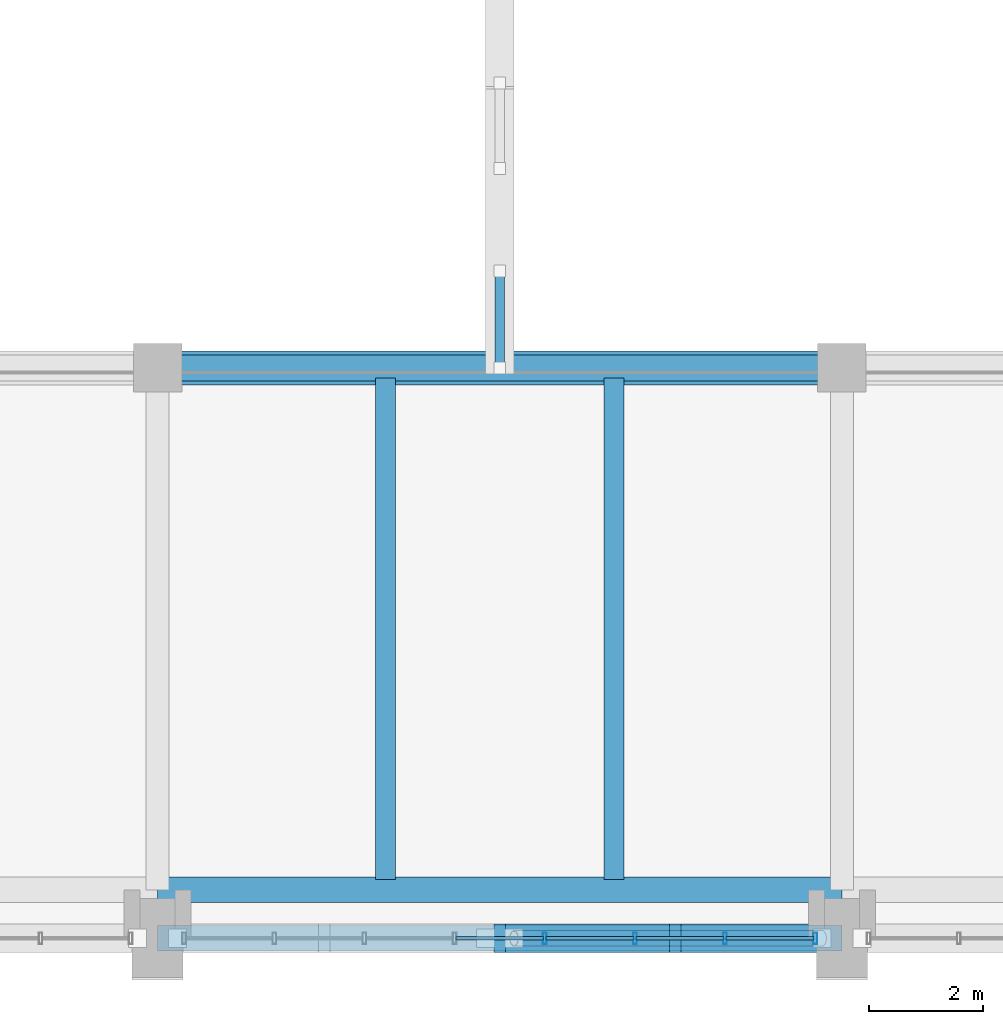
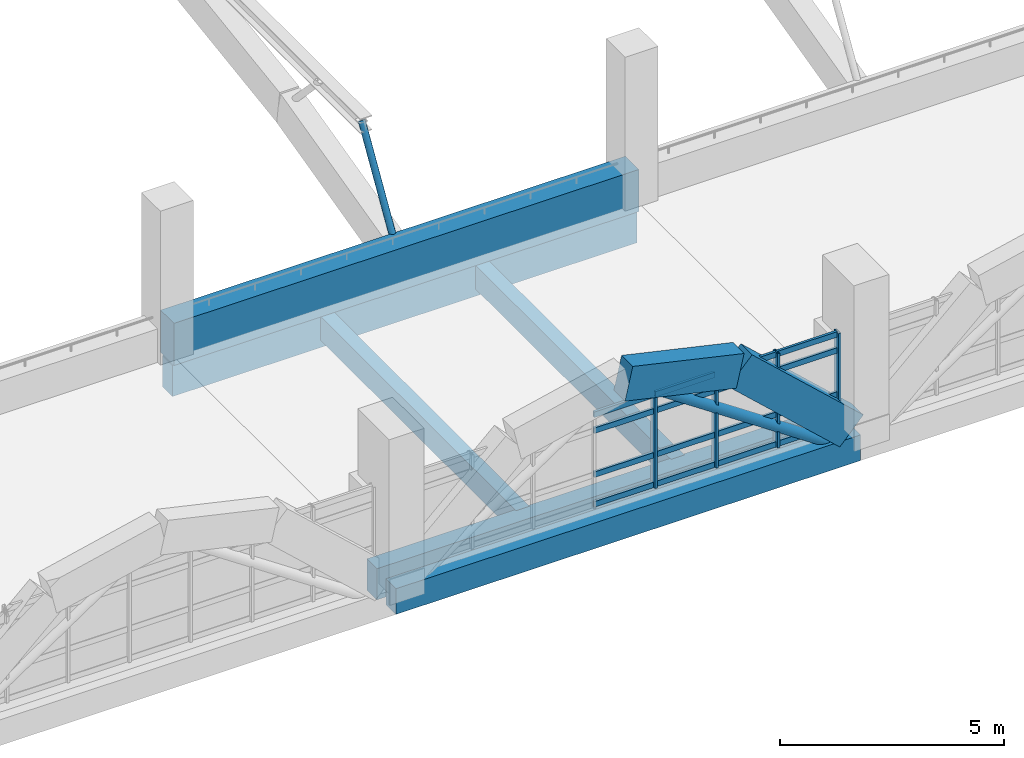
# One storey, part 20 of 161: 22 members, 8 beams, 1 element without a shape of its own.
"""IFC4 building model written with IfcOpenShell, lengths in metres."""

from ifc_helpers import new_model, si_unit, direction, frame, origin, origin_2d, place, context, subcontext, project, spatial, rectangle, hollow_rectangle, hollow_circle, extrude, material, layer, layer_set, material_profile, profile_set, type_object, element, aggregate, save


model = new_model("IFC4")

# Units and contexts
model_context = context("Model", 3, precision=1e-05, world=origin(), true_north=direction((0.0, 1.0)))
body_context = subcontext(model_context, "Body", "Model", "MODEL_VIEW")
ifc_project = project(units=[si_unit("LENGTHUNIT", "METRE"), si_unit("AREAUNIT", "SQUARE_METRE"), si_unit("VOLUMEUNIT", "CUBIC_METRE"), si_unit("PLANEANGLEUNIT", "RADIAN"), si_unit("MASSUNIT", "GRAM", prefix="KILO")], contexts=[model_context])

# Site, building, storey
site_placement = place(None, origin())
site = spatial("IfcSite", under=ifc_project, at=site_placement, CompositionType="ELEMENT")
building_placement = place(site_placement, origin())
building = spatial("IfcBuilding", under=site, at=building_placement, Name="Mersad Railyard Sports Hall", CompositionType="ELEMENT")
storey_placement = place(building_placement, frame((0.0, 0.0, 4.800048828125)))
storey = spatial("IfcBuildingStorey", under=building, at=storey_placement, Name="L01", CompositionType="ELEMENT", Elevation=4.800048828125)

# Curtain wall, members
ifc_material_1 = material(Name="Aluminium 6063-T6", Category="aluminium")
ifc_layer = layer(ifc_material_1, 0.199951171875)
ifc_layer_set = layer_set([ifc_layer], Name="Aluminium 6063-T6")
curtain_wall_type = type_object("IfcCurtainWallType", Name="ARC-CW-CW02", PredefinedType="USERDEFINED", material=ifc_layer_set)
curtain_wall_placement = place(storey_placement, origin())
curtain_wall = element("IfcCurtainWall", 1, at=curtain_wall_placement, inside=storey, type_object=curtain_wall_type, Name="Curtain wall CW02-0011", ObjectType="CURTAIN WALL", PredefinedType="USERDEFINED")
ifc_material_profile_1 = material_profile(ifc_material_1, hollow_rectangle(XDim=0.06494140625, YDim=0.199951171875, WallThickness=0.0048828125, at=origin_2d()), Name="AL MULLION 65x200x5")
ifc_profile_set_1 = profile_set([ifc_material_profile_1], Name="Aluminium 6063-T6")
member_type_1 = type_object("IfcMemberType", Name="ARC-CW-MUL02", PredefinedType="MULLION", material=ifc_profile_set_1)
member_1_placement = place(storey_placement, frame((54.530029296875, 3.5, -0.02001953125), z_axis=(0.0, 0.0, 1.0), x_axis=(1.0, 0.0, 0.0)))
member_1 = element("IfcMember", 2, at=member_1_placement, type_object=member_type_1, Name="CW02 Mullion 1", PredefinedType="MULLION", context=body_context, shape_type="SweptSolid", body=[
    extrude(hollow_rectangle(XDim=0.06494140625, YDim=0.199951171875, WallThickness=0.0048828125, at=origin_2d()), origin(), (0.0, 0.0, 1.0), 2.570068359375),
])
member_2_placement = place(storey_placement, frame((52.949951171875, 3.5, -0.02001953125), z_axis=(0.0, 0.0, 1.0), x_axis=(1.0, 0.0, 0.0)))
member_2 = element("IfcMember", 3, at=member_2_placement, type_object=member_type_1, Name="CW02 Mullion 2", PredefinedType="MULLION", context=body_context, shape_type="SweptSolid", body=[
    extrude(hollow_rectangle(XDim=0.06494140625, YDim=0.199951171875, WallThickness=0.0048828125, at=origin_2d()), origin(), (0.0, 0.0, 1.0), 2.570068359375),
])
member_3_placement = place(storey_placement, frame((51.3701171875, 3.5, -0.02001953125), z_axis=(0.0, 0.0, 1.0), x_axis=(1.0, 0.0, 0.0)))
member_3 = element("IfcMember", 4, at=member_3_placement, type_object=member_type_1, Name="CW02 Mullion 3", PredefinedType="MULLION", context=body_context, shape_type="SweptSolid", body=[
    extrude(hollow_rectangle(XDim=0.06494140625, YDim=0.199951171875, WallThickness=0.0048828125, at=origin_2d()), origin(), (0.0, 0.0, 1.0), 2.570068359375),
])
member_4_placement = place(storey_placement, frame((49.7900390625, 3.5, -0.02001953125), z_axis=(0.0, 0.0, 1.0), x_axis=(1.0, 0.0, 0.0)))
member_4 = element("IfcMember", 5, at=member_4_placement, type_object=member_type_1, Name="CW02 Mullion 4", PredefinedType="MULLION", context=body_context, shape_type="SweptSolid", body=[
    extrude(hollow_rectangle(XDim=0.06494140625, YDim=0.199951171875, WallThickness=0.0048828125, at=origin_2d()), origin(), (0.0, 0.0, 1.0), 2.570068359375),
])
ifc_material_profile_2 = material_profile(ifc_material_1, hollow_rectangle(XDim=0.06494140625, YDim=0.14990234375, WallThickness=0.00439453125, at=origin_2d()), Name="AL TRANSOM 65x150x4.5")
ifc_profile_set_2 = profile_set([ifc_material_profile_2], Name="Aluminium 6063-T6")
member_type_2 = type_object("IfcMemberType", Name="ARC-CW-TRN02", PredefinedType="USERDEFINED", material=ifc_profile_set_2)
member_5_placement = place(storey_placement, frame((54.510009765625, 3.5, 0.0400390625), z_axis=(-1.0, 0.0, 0.0), x_axis=(0.0, -1.0, 0.0)))
member_5 = element("IfcMember", 6, at=member_5_placement, type_object=member_type_2, Name="CW02 Transom 1-1", ObjectType="TRANSOM", PredefinedType="USERDEFINED", context=body_context, shape_type="SweptSolid", body=[
    extrude(hollow_rectangle(XDim=0.06494140625, YDim=0.14990234375, WallThickness=0.00439453125, at=origin_2d()), origin(), (0.0, 0.0, 1.0), 1.5400390625),
])
member_6_placement = place(storey_placement, frame((52.929931640625, 3.5, 0.0400390625), z_axis=(-1.0, 0.0, 0.0), x_axis=(0.0, -1.0, 0.0)))
member_6 = element("IfcMember", 7, at=member_6_placement, type_object=member_type_2, Name="CW02 Transom 1-2", ObjectType="TRANSOM", PredefinedType="USERDEFINED", context=body_context, shape_type="SweptSolid", body=[
    extrude(hollow_rectangle(XDim=0.06494140625, YDim=0.14990234375, WallThickness=0.00439453125, at=origin_2d()), origin(), (0.0, 0.0, 1.0), 1.5400390625),
])
member_7_placement = place(storey_placement, frame((51.35009765625, 3.5, 0.0400390625), z_axis=(-1.0, 0.0, 0.0), x_axis=(0.0, -1.0, 0.0)))
member_7 = element("IfcMember", 8, at=member_7_placement, type_object=member_type_2, Name="CW02 Transom 1-3", ObjectType="TRANSOM", PredefinedType="USERDEFINED", context=body_context, shape_type="SweptSolid", body=[
    extrude(hollow_rectangle(XDim=0.06494140625, YDim=0.14990234375, WallThickness=0.00439453125, at=origin_2d()), origin(), (0.0, 0.0, 1.0), 1.5400390625),
])
member_8_placement = place(storey_placement, frame((49.77001953125, 3.5, 0.0400390625), z_axis=(-1.0, 0.0, 0.0), x_axis=(0.0, -1.0, 0.0)))
member_8 = element("IfcMember", 9, at=member_8_placement, type_object=member_type_2, Name="CW02 Transom 1-4", ObjectType="TRANSOM", PredefinedType="USERDEFINED", context=body_context, shape_type="SweptSolid", body=[
    extrude(hollow_rectangle(XDim=0.06494140625, YDim=0.14990234375, WallThickness=0.00439453125, at=origin_2d()), origin(), (0.0, 0.0, 1.0), 1.5400390625),
])
member_9_placement = place(storey_placement, frame((54.510009765625, 3.5, 0.849853515625), z_axis=(-1.0, 0.0, 0.0), x_axis=(0.0, -1.0, 0.0)))
member_9 = element("IfcMember", 10, at=member_9_placement, type_object=member_type_2, Name="CW02 Transom 2-1", ObjectType="TRANSOM", PredefinedType="USERDEFINED", context=body_context, shape_type="SweptSolid", body=[
    extrude(hollow_rectangle(XDim=0.06494140625, YDim=0.14990234375, WallThickness=0.00439453125, at=origin_2d()), origin(), (0.0, 0.0, 1.0), 1.5400390625),
])
member_10_placement = place(storey_placement, frame((52.929931640625, 3.5, 0.849853515625), z_axis=(-1.0, 0.0, 0.0), x_axis=(0.0, -1.0, 0.0)))
member_10 = element("IfcMember", 11, at=member_10_placement, type_object=member_type_2, Name="CW02 Transom 2-2", ObjectType="TRANSOM", PredefinedType="USERDEFINED", context=body_context, shape_type="SweptSolid", body=[
    extrude(hollow_rectangle(XDim=0.06494140625, YDim=0.14990234375, WallThickness=0.00439453125, at=origin_2d()), origin(), (0.0, 0.0, 1.0), 1.5400390625),
])
member_11_placement = place(storey_placement, frame((51.35009765625, 3.5, 0.849853515625), z_axis=(-1.0, 0.0, 0.0), x_axis=(0.0, -1.0, 0.0)))
member_11 = element("IfcMember", 12, at=member_11_placement, type_object=member_type_2, Name="CW02 Transom 2-3", ObjectType="TRANSOM", PredefinedType="USERDEFINED", context=body_context, shape_type="SweptSolid", body=[
    extrude(hollow_rectangle(XDim=0.06494140625, YDim=0.14990234375, WallThickness=0.00439453125, at=origin_2d()), origin(), (0.0, 0.0, 1.0), 1.5400390625),
])
member_12_placement = place(storey_placement, frame((49.77001953125, 3.5, 0.849853515625), z_axis=(-1.0, 0.0, 0.0), x_axis=(0.0, -1.0, 0.0)))
member_12 = element("IfcMember", 13, at=member_12_placement, type_object=member_type_2, Name="CW02 Transom 2-4", ObjectType="TRANSOM", PredefinedType="USERDEFINED", context=body_context, shape_type="SweptSolid", body=[
    extrude(hollow_rectangle(XDim=0.06494140625, YDim=0.14990234375, WallThickness=0.00439453125, at=origin_2d()), origin(), (0.0, 0.0, 1.0), 1.5400390625),
])
member_13_placement = place(storey_placement, frame((54.510009765625, 3.5, 2.050048828125), z_axis=(-1.0, 0.0, 0.0), x_axis=(0.0, -1.0, 0.0)))
member_13 = element("IfcMember", 14, at=member_13_placement, type_object=member_type_2, Name="CW02 Transom 3-1", ObjectType="TRANSOM", PredefinedType="USERDEFINED", context=body_context, shape_type="SweptSolid", body=[
    extrude(hollow_rectangle(XDim=0.06494140625, YDim=0.14990234375, WallThickness=0.00439453125, at=origin_2d()), origin(), (0.0, 0.0, 1.0), 1.5400390625),
])
member_14_placement = place(storey_placement, frame((52.929931640625, 3.5, 2.050048828125), z_axis=(-1.0, 0.0, 0.0), x_axis=(0.0, -1.0, 0.0)))
member_14 = element("IfcMember", 15, at=member_14_placement, type_object=member_type_2, Name="CW02 Transom 3-2", ObjectType="TRANSOM", PredefinedType="USERDEFINED", context=body_context, shape_type="SweptSolid", body=[
    extrude(hollow_rectangle(XDim=0.06494140625, YDim=0.14990234375, WallThickness=0.00439453125, at=origin_2d()), origin(), (0.0, 0.0, 1.0), 1.5400390625),
])
member_15_placement = place(storey_placement, frame((51.35009765625, 3.5, 2.050048828125), z_axis=(-1.0, 0.0, 0.0), x_axis=(0.0, -1.0, 0.0)))
member_15 = element("IfcMember", 16, at=member_15_placement, type_object=member_type_2, Name="CW02 Transom 3-3", ObjectType="TRANSOM", PredefinedType="USERDEFINED", context=body_context, shape_type="SweptSolid", body=[
    extrude(hollow_rectangle(XDim=0.06494140625, YDim=0.14990234375, WallThickness=0.00439453125, at=origin_2d()), origin(), (0.0, 0.0, 1.0), 1.5400390625),
])
member_16_placement = place(storey_placement, frame((49.77001953125, 3.5, 2.050048828125), z_axis=(-1.0, 0.0, 0.0), x_axis=(0.0, -1.0, 0.0)))
member_16 = element("IfcMember", 17, at=member_16_placement, type_object=member_type_2, Name="CW02 Transom 3-4", ObjectType="TRANSOM", PredefinedType="USERDEFINED", context=body_context, shape_type="SweptSolid", body=[
    extrude(hollow_rectangle(XDim=0.06494140625, YDim=0.14990234375, WallThickness=0.00439453125, at=origin_2d()), origin(), (0.0, 0.0, 1.0), 1.5400390625),
])
member_17_placement = place(storey_placement, frame((54.510009765625, 3.5, 2.489990234375), z_axis=(-1.0, 0.0, 0.0), x_axis=(0.0, -1.0, 0.0)))
member_17 = element("IfcMember", 18, at=member_17_placement, type_object=member_type_2, Name="CW02 Transom 4-1", ObjectType="TRANSOM", PredefinedType="USERDEFINED", context=body_context, shape_type="SweptSolid", body=[
    extrude(hollow_rectangle(XDim=0.06494140625, YDim=0.14990234375, WallThickness=0.00439453125, at=origin_2d()), origin(), (0.0, 0.0, 1.0), 1.5400390625),
])
member_18_placement = place(storey_placement, frame((52.929931640625, 3.5, 2.489990234375), z_axis=(-1.0, 0.0, 0.0), x_axis=(0.0, -1.0, 0.0)))
member_18 = element("IfcMember", 19, at=member_18_placement, type_object=member_type_2, Name="CW02 Transom 4-2", ObjectType="TRANSOM", PredefinedType="USERDEFINED", context=body_context, shape_type="SweptSolid", body=[
    extrude(hollow_rectangle(XDim=0.06494140625, YDim=0.14990234375, WallThickness=0.00439453125, at=origin_2d()), origin(), (0.0, 0.0, 1.0), 1.5400390625),
])
member_19_placement = place(storey_placement, frame((51.35009765625, 3.5, 2.489990234375), z_axis=(-1.0, 0.0, 0.0), x_axis=(0.0, -1.0, 0.0)))
member_19 = element("IfcMember", 20, at=member_19_placement, type_object=member_type_2, Name="CW02 Transom 4-3", ObjectType="TRANSOM", PredefinedType="USERDEFINED", context=body_context, shape_type="SweptSolid", body=[
    extrude(hollow_rectangle(XDim=0.06494140625, YDim=0.14990234375, WallThickness=0.00439453125, at=origin_2d()), origin(), (0.0, 0.0, 1.0), 1.5400390625),
])
member_20_placement = place(storey_placement, frame((49.77001953125, 3.5, 2.489990234375), z_axis=(-1.0, 0.0, 0.0), x_axis=(0.0, -1.0, 0.0)))
member_20 = element("IfcMember", 21, at=member_20_placement, type_object=member_type_2, Name="CW02 Transom 4-4", ObjectType="TRANSOM", PredefinedType="USERDEFINED", context=body_context, shape_type="SweptSolid", body=[
    extrude(hollow_rectangle(XDim=0.06494140625, YDim=0.14990234375, WallThickness=0.00439453125, at=origin_2d()), origin(), (0.0, 0.0, 1.0), 1.5400390625),
])
aggregate(curtain_wall, [member_1, member_2, member_3, member_4, member_5, member_6, member_7, member_8, member_9, member_10, member_11, member_12, member_13, member_14, member_15, member_16, member_17, member_18, member_19, member_20])

# Beams
ifc_material_2 = material(Name="Concrete C40/50", Category="concrete")
ifc_material_profile_3 = material_profile(ifc_material_2, rectangle(XDim=0.449951171875, YDim=0.85009765625, at=origin_2d()), Name="RC 450x850")
ifc_profile_set_3 = profile_set([ifc_material_profile_3], Name="Concrete C40/50")
beam_type_1 = type_object("IfcBeamType", Name="STR-BM-B02", PredefinedType="BEAM", material=ifc_profile_set_3)
for number, where, z_axis, x_axis, name in (
    (22, (43.0, 4.35009765625, -0.705078125), (1.0, 0.0, 0.0), (0.0, 1.0, 0.0), "Beam B02-0286"),
    (23, (43.0, 13.5, -0.705078125), (1.0, 0.0, 0.0), (0.0, 1.0, 0.0), "Beam B02-0291"),
):
    element("IfcBeam", number, at=place(storey_placement, frame(where, z_axis=z_axis, x_axis=x_axis)), inside=storey, type_object=beam_type_1, Name=name, PredefinedType="BEAM", context=body_context, shape_type="SweptSolid", body=[
        extrude(rectangle(XDim=0.449951171875, YDim=0.85009765625, at=origin_2d()), origin(), (0.0, 0.0, 1.0), 12.0),
    ])
ifc_material_3 = material(Name="Concrete C50/60", Category="concrete")
ifc_material_profile_4 = material_profile(ifc_material_3, rectangle(XDim=0.60009765625, YDim=1.14990234375, at=origin_2d()), Name="RC 600x1150")
ifc_profile_set_4 = profile_set([ifc_material_profile_4], Name="Concrete C50/60")
beam_type_2 = type_object("IfcBeamType", Name="STR-BM-B05", PredefinedType="BEAM", material=ifc_profile_set_4)
beam_1_placement = place(storey_placement, frame((43.0, 13.5, 0.33984375), z_axis=(1.0, 0.0, 0.0), x_axis=(0.0, 1.0, 0.0)))
element("IfcBeam", 24, at=beam_1_placement, inside=storey, type_object=beam_type_2, Name="Beam B05-0528", PredefinedType="BEAM", context=body_context, shape_type="SweptSolid", body=[
    extrude(rectangle(XDim=0.60009765625, YDim=1.14990234375, at=origin_2d()), origin(), (0.0, 0.0, 1.0), 12.0),
])
ifc_material_profile_5 = material_profile(ifc_material_2, rectangle(XDim=0.35009765625, YDim=0.64990234375, at=origin_2d()), Name="RC 350x650")
ifc_profile_set_5 = profile_set([ifc_material_profile_5], Name="Concrete C40/50")
beam_type_3 = type_object("IfcBeamType", Name="STR-BM-J01", PredefinedType="JOIST", material=ifc_profile_set_5)
for number, where, z_axis, x_axis, name in (
    (25, (47.0, 4.530029296875, -0.60498046875), (0.0, 1.0, 0.0), (-1.0, 0.0, 0.0), "Beam J01-0398"),
    (26, (51.0, 4.530029296875, -0.60498046875), (0.0, 1.0, 0.0), (-1.0, 0.0, 0.0), "Beam J01-0399"),
):
    element("IfcBeam", number, at=place(storey_placement, frame(where, z_axis=z_axis, x_axis=x_axis)), inside=storey, type_object=beam_type_3, Name=name, PredefinedType="JOIST", context=body_context, shape_type="SweptSolid", body=[
        extrude(rectangle(XDim=0.35009765625, YDim=0.64990234375, at=origin_2d()), origin(), (0.0, 0.0, 1.0), 8.7900390625),
    ])
ifc_material_4 = material(Name="Architectural concrete C40/50", Category="concrete")
ifc_material_profile_6 = material_profile(ifc_material_4, rectangle(XDim=0.449951171875, YDim=0.699951171875, at=origin_2d()), Name="RC 450x700")
ifc_profile_set_6 = profile_set([ifc_material_profile_6], Name="Architectural concrete C40/50")
beam_type_4 = type_object("IfcBeamType", Name="STR-BM-SP01", PredefinedType="SPANDREL", material=ifc_profile_set_6)
beam_2_placement = place(storey_placement, frame((43.0, 3.5, -0.66015625), z_axis=(1.0, 0.0, 0.0), x_axis=(0.0, 1.0, 0.0)))
element("IfcBeam", 27, at=beam_2_placement, inside=storey, type_object=beam_type_4, Name="Beam SP01-0354", PredefinedType="SPANDREL", context=body_context, shape_type="SweptSolid", body=[
    extrude(rectangle(XDim=0.449951171875, YDim=0.699951171875, at=origin_2d()), origin(), (0.0, 0.0, 1.0), 12.0),
])
ifc_material_5 = material(Name="Architectural concrete C50/60", Category="concrete")
ifc_material_profile_7 = material_profile(ifc_material_5, rectangle(XDim=0.5, YDim=0.89990234375, at=origin_2d()), Name="VR 500x900")
ifc_profile_set_7 = profile_set([ifc_material_profile_7], Name="Architectural concrete C50/60")
beam_type_5 = type_object("IfcBeamType", Name="STR-BM-VR02", PredefinedType="BEAM", material=ifc_profile_set_7)
beam_3_placement = place(storey_placement, frame((49.0, 3.5, 3.199951171875), z_axis=(0.97519301708, 0.0, -0.221356227467), x_axis=(0.0, 1.0, 0.0)))
element("IfcBeam", 28, at=beam_3_placement, inside=storey, type_object=beam_type_5, Name="Beam VR02-0360", PredefinedType="BEAM", context=body_context, shape_type="SweptSolid", body=[
    extrude(rectangle(XDim=0.5, YDim=0.89990234375, at=origin_2d()), origin(), (0.0, 0.0, 1.0), 2.9482421875),
])
beam_4_placement = place(storey_placement, frame((51.875, 3.5, 2.54736328125), z_axis=(0.735617187873, 0.0, -0.677397485164), x_axis=(0.0, 1.0, 0.0)))
element("IfcBeam", 29, at=beam_4_placement, inside=storey, type_object=beam_type_5, Name="Beam VR02-0362", PredefinedType="BEAM", context=body_context, shape_type="SweptSolid", body=[
    extrude(rectangle(XDim=0.5, YDim=0.89990234375, at=origin_2d()), origin(), (0.0, 0.0, 1.0), 3.908203125),
])

# Members
ifc_material_6 = material(Name="Steel S355", Category="steel")
ifc_material_profile_8 = material_profile(ifc_material_6, hollow_circle(Radius=0.136474609375, WallThickness=0.012451171875, at=origin_2d()), Name="CHS 273x12.5")
ifc_profile_set_8 = profile_set([ifc_material_profile_8], Name="Steel S355")
member_type_3 = type_object("IfcMemberType", Name="STR-MEM-BR02", PredefinedType="BRACE", material=ifc_profile_set_8)
member_21_placement = place(storey_placement, frame((54.64990234375, 3.5, -0.6201171875), z_axis=(-0.829190125257, 0.0, 0.558966668215), x_axis=(0.0, -1.0, 0.0)))
element("IfcMember", 30, at=member_21_placement, inside=storey, type_object=member_type_3, Name="Structural member BR02-0014", PredefinedType="BRACE", context=body_context, shape_type="SweptSolid", body=[
    extrude(hollow_circle(Radius=0.136474609375, WallThickness=0.012451171875, at=origin_2d()), origin(), (0.0, 0.0, 1.0), 6.51220703125),
])
ifc_material_profile_9 = material_profile(ifc_material_6, hollow_circle(Radius=0.084228515625, WallThickness=0.008056640625, at=origin_2d()), Name="CHS 168.3x8")
ifc_profile_set_9 = profile_set([ifc_material_profile_9], Name="Steel S355")
member_type_4 = type_object("IfcMemberType", Name="STR-MEM-BR03", PredefinedType="BRACE", material=ifc_profile_set_9)
member_22_placement = place(storey_placement, frame((49.0, 13.5, 0.339599609375), z_axis=(0.0, 0.517575030521, 0.855637825123), x_axis=(-1.0, 0.0, 0.0)))
element("IfcMember", 31, at=member_22_placement, inside=storey, type_object=member_type_4, Name="Structural member BR03-0075", PredefinedType="BRACE", context=body_context, shape_type="SweptSolid", body=[
    extrude(hollow_circle(Radius=0.084228515625, WallThickness=0.008056640625, at=origin_2d()), origin(), (0.0, 0.0, 1.0), 3.284423828125),
])

save(model, "model.ifc")
